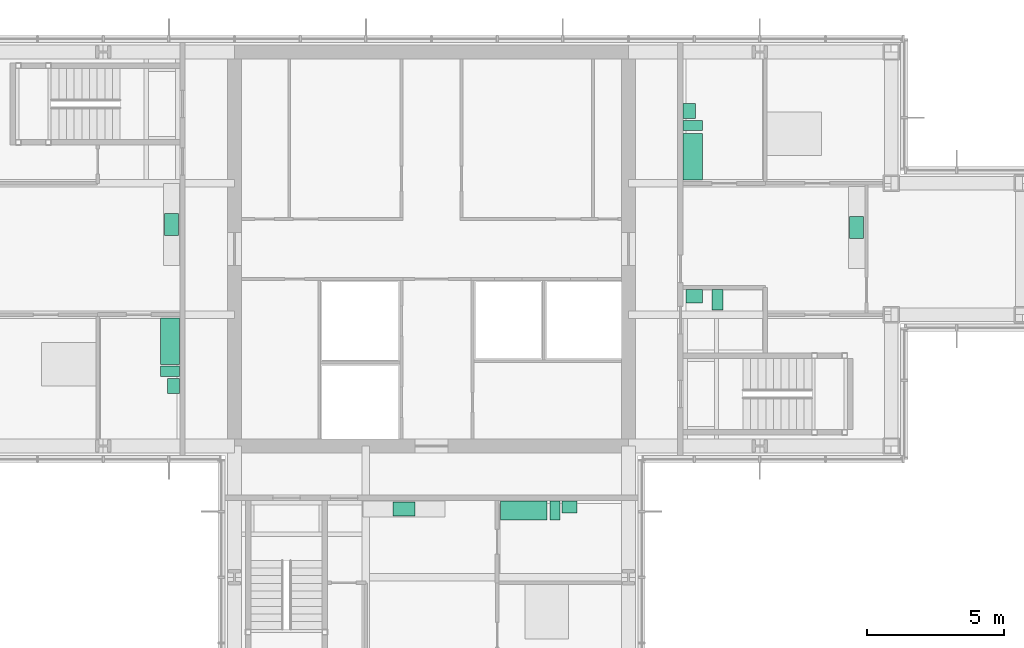
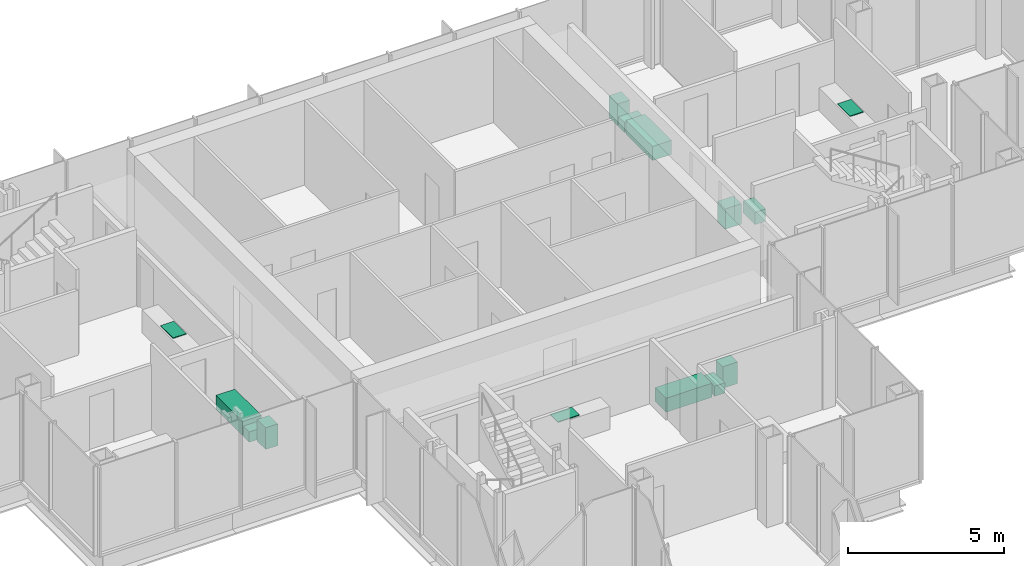
# One storey, part 14 of 15: 14 sanitary terminals.
"""IFC4 building model written with IfcOpenShell, lengths in metres."""

from ifc_helpers import new_model, si_unit, direction, frame, origin, origin_2d, place, context, subcontext, project, spatial, rectangle, extrude, material, type_object, element, save


model = new_model("IFC4")

# Units and contexts
model_context = context("Model", 3, precision=1e-05, world=origin(), true_north=direction((0.0, 1.0)))
body_context = subcontext(model_context, "Body", "Model", "MODEL_VIEW")
ifc_project = project(units=[si_unit("LENGTHUNIT", "METRE"), si_unit("AREAUNIT", "SQUARE_METRE"), si_unit("VOLUMEUNIT", "CUBIC_METRE"), si_unit("PLANEANGLEUNIT", "RADIAN"), si_unit("MASSUNIT", "GRAM", prefix="KILO")], contexts=[model_context])

# Site, building, storey
site_placement = place(None, origin())
site = spatial("IfcSite", under=ifc_project, at=site_placement, CompositionType="ELEMENT")
building_placement = place(site_placement, origin())
building = spatial("IfcBuilding", under=site, at=building_placement, Name="Kvirike Care Tower", CompositionType="ELEMENT")
storey_placement = place(building_placement, frame((0.0, 0.0, 201.5)))
storey = spatial("IfcBuildingStorey", under=building, at=storey_placement, Name="L55", CompositionType="ELEMENT", Elevation=201.5)

# Sanitary terminals
ifc_material_1 = material(Name="Vitreous china", Category="ceramic")
sanitary_terminal_type_1 = type_object("IfcSanitaryTerminalType", Name="ACCESSIBLE WASH BASIN 600 x 500", PredefinedType="WASHHANDBASIN", material=ifc_material_1)
sanitary_terminal_1_placement = place(storey_placement, frame((31.199951171875, 34.27294921875, 0.02001953125), z_axis=(0.0, 0.0, 1.0), x_axis=(1.0, 0.0, 0.0)))
element("IfcSanitaryTerminal", 1, at=sanitary_terminal_1_placement, inside=storey, type_object=sanitary_terminal_type_1, Name="Accessible wash basin L55-020", PredefinedType="WASHHANDBASIN", context=body_context, shape_type="SweptSolid", body=[
    extrude(rectangle(XDim=0.60009765625, YDim=0.5, at=origin_2d()), origin(), (0.0, 0.0, 1.0), 0.800048828125),
])
ifc_material_2 = material(Name="Vitreous china", Category="ceramic")
sanitary_terminal_type_2 = type_object("IfcSanitaryTerminalType", Name="ACCESSIBLE WC PAN 400 x 750", PredefinedType="TOILETPAN", material=ifc_material_2)
sanitary_terminal_2_placement = place(storey_placement, frame((32.050048828125, 34.14794921875, 0.02001953125), z_axis=(0.0, 0.0, 1.0), x_axis=(1.0, 0.0, 0.0)))
element("IfcSanitaryTerminal", 2, at=sanitary_terminal_2_placement, inside=storey, type_object=sanitary_terminal_type_2, Name="Accessible WC pan L55-020", PredefinedType="TOILETPAN", context=body_context, shape_type="SweptSolid", body=[
    extrude(rectangle(XDim=0.39990234375, YDim=0.75, at=origin_2d()), origin(), (0.0, 0.0, 1.0), 0.47998046875),
])
ifc_material_3 = material(Name="Enamelled steel", Category="steel")
sanitary_terminal_type_3 = type_object("IfcSanitaryTerminalType", Name="BATH 1700 x 700", PredefinedType="BATH", material=ifc_material_3)
for number, where, z_axis, x_axis, name in (
    (3, (12.048095703125, 32.625, 0.02001953125), (0.0, 0.0, 1.0), (0.0, -1.0, 0.0), "Bath L55-006"),
    (4, (24.97509765625, 26.447998046875, 0.02001953125), (0.0, 0.0, 1.0), (1.0, 0.0, 0.0), "Bath L55-013"),
    (5, (31.152099609375, 39.375, 0.02001953125), (0.0, 0.0, 1.0), (0.0, 1.0, 0.0), "Bath L55-021"),
):
    element("IfcSanitaryTerminal", number, at=place(storey_placement, frame(where, z_axis=z_axis, x_axis=x_axis)), inside=storey, type_object=sanitary_terminal_type_3, Name=name, PredefinedType="BATH", context=body_context, shape_type="SweptSolid", body=[
        extrude(rectangle(XDim=1.699951171875, YDim=0.699951171875, at=origin_2d()), origin(), (0.0, 0.0, 1.0), 0.550048828125),
    ])
ifc_material_4 = material(Name="Stainless steel", Category="steel")
sanitary_terminal_type_4 = type_object("IfcSanitaryTerminalType", Name="KITCHEN SINK 800 x 500", PredefinedType="SINK", material=ifc_material_4)
for number, where, z_axis, x_axis, name in (
    (6, (12.097900390625, 36.89990234375, 0.89990234375), (0.0, 0.0, 1.0), (0.0, -1.0, 0.0), "Kitchen sink L55-007"),
    (7, (20.60009765625, 26.498046875, 0.89990234375), (0.0, 0.0, 1.0), (1.0, 0.0, 0.0), "Kitchen sink L55-014"),
    (8, (37.137939453125, 36.7900390625, 0.89990234375), (0.0, 0.0, 1.0), (0.0, -1.0, 0.0), "Kitchen sink L55-022"),
):
    element("IfcSanitaryTerminal", number, at=place(storey_placement, frame(where, z_axis=z_axis, x_axis=x_axis)), inside=storey, type_object=sanitary_terminal_type_4, Name=name, PredefinedType="SINK", context=body_context, shape_type="SweptSolid", body=[
        extrude(rectangle(XDim=0.800048828125, YDim=0.5, at=origin_2d()), origin(), (0.0, 0.0, 1.0), 0.030029296875),
    ])
ifc_material_5 = material(Name="Vitreous china", Category="ceramic")
sanitary_terminal_type_5 = type_object("IfcSanitaryTerminalType", Name="WASH BASIN 550 x 450", PredefinedType="WASHHANDBASIN", material=ifc_material_5)
for number, where, z_axis, x_axis, name in (
    (9, (12.173095703125, 31.0, 0.02001953125), (0.0, 0.0, 1.0), (0.0, -1.0, 0.0), "Wash basin L55-006"),
    (10, (26.64990234375, 26.572998046875, 0.02001953125), (0.0, 0.0, 1.0), (1.0, 0.0, 0.0), "Wash basin L55-013"),
    (11, (31.027099609375, 41.050048828125, 0.02001953125), (0.0, 0.0, 1.0), (0.0, 1.0, 0.0), "Wash basin L55-021"),
):
    element("IfcSanitaryTerminal", number, at=place(storey_placement, frame(where, z_axis=z_axis, x_axis=x_axis)), inside=storey, type_object=sanitary_terminal_type_5, Name=name, PredefinedType="WASHHANDBASIN", context=body_context, shape_type="SweptSolid", body=[
        extrude(rectangle(XDim=0.550048828125, YDim=0.449951171875, at=origin_2d()), origin(), (0.0, 0.0, 1.0), 0.85009765625),
    ])
ifc_material_6 = material(Name="Vitreous china", Category="ceramic")
sanitary_terminal_type_6 = type_object("IfcSanitaryTerminalType", Name="WC PAN 380 x 700", PredefinedType="TOILETPAN", material=ifc_material_6)
for number, where, z_axis, x_axis, name in (
    (12, (12.048095703125, 31.534912109375, 0.02001953125), (0.0, 0.0, 1.0), (0.0, -1.0, 0.0), "WC pan L55-006"),
    (13, (26.114990234375, 26.447998046875, 0.02001953125), (0.0, 0.0, 1.0), (1.0, 0.0, 0.0), "WC pan L55-013"),
    (14, (31.152099609375, 40.514892578125, 0.02001953125), (0.0, 0.0, 1.0), (0.0, 1.0, 0.0), "WC pan L55-021"),
):
    element("IfcSanitaryTerminal", number, at=place(storey_placement, frame(where, z_axis=z_axis, x_axis=x_axis)), inside=storey, type_object=sanitary_terminal_type_6, Name=name, PredefinedType="TOILETPAN", context=body_context, shape_type="SweptSolid", body=[
        extrude(rectangle(XDim=0.3798828125, YDim=0.699951171875, at=origin_2d()), origin(), (0.0, 0.0, 1.0), 0.39990234375),
    ])

save(model, "model.ifc")
